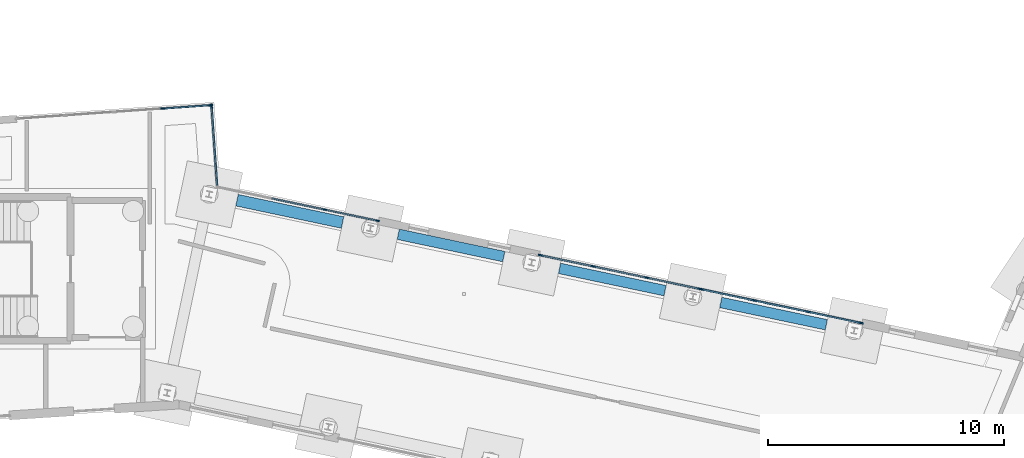
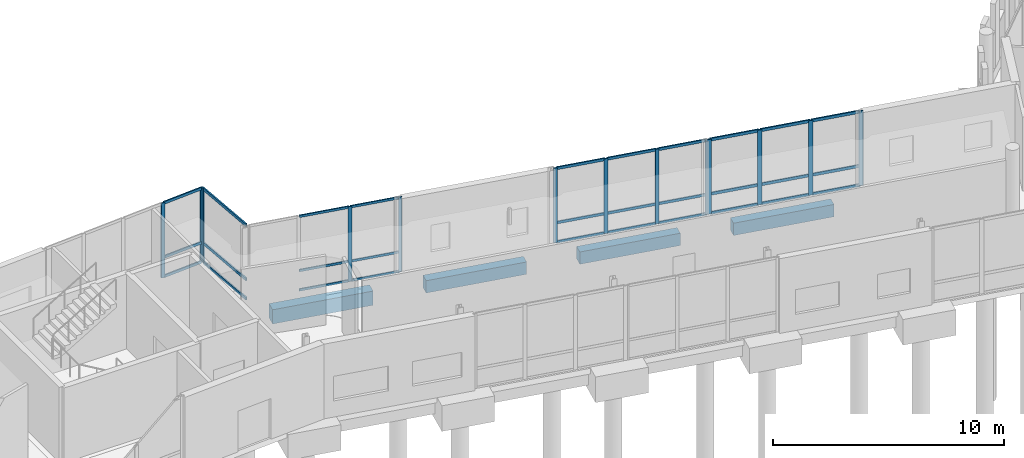
# One storey, part 38 of 113: 43 members, 4 beams, 5 elements without a shape of their own.
"""IFC4 building model written with IfcOpenShell, lengths in metres."""

from ifc_helpers import new_model, si_unit, direction, frame, origin, origin_2d, place, context, subcontext, project, spatial, rectangle, extrude, material, material_profile, profile_set, type_object, element, aggregate, save


model = new_model("IFC4")

# Units and contexts
model_context = context("Model", 3, precision=1e-05, world=origin(), true_north=direction((0.0, 1.0)))
body_context = subcontext(model_context, "Body", "Model", "MODEL_VIEW")
ifc_project = project(units=[si_unit("LENGTHUNIT", "METRE"), si_unit("AREAUNIT", "SQUARE_METRE"), si_unit("VOLUMEUNIT", "CUBIC_METRE"), si_unit("PLANEANGLEUNIT", "RADIAN"), si_unit("MASSUNIT", "GRAM", prefix="KILO")], contexts=[model_context])

# Site, building, storey
site_placement = place(None, origin())
site = spatial("IfcSite", under=ifc_project, at=site_placement, CompositionType="ELEMENT")
building_placement = place(site_placement, origin())
building = spatial("IfcBuilding", under=site, at=building_placement, Name="Wrenclough Park School", CompositionType="ELEMENT")
storey_placement = place(building_placement, origin())
storey = spatial("IfcBuildingStorey", under=building, at=storey_placement, Name="L00", CompositionType="ELEMENT", Elevation=0.0)

# Curtain wall, members
ifc_material_1 = material(Name="Thermally broken aluminium and low-e glass curtain wall", Category="aluminium")
curtain_wall_type_1 = type_object("IfcCurtainWallType", Name="ENV-CW-07", PredefinedType="USERDEFINED", material=ifc_material_1)
curtain_wall_1_placement = place(storey_placement, origin())
curtain_wall_1 = element("IfcCurtainWall", 1, at=curtain_wall_1_placement, inside=storey, type_object=curtain_wall_type_1, Name="L00 recessed curtain wall assembly 054", ObjectType="CURTAIN WALL", PredefinedType="USERDEFINED")
ifc_material_2 = material(Name="Thermally broken anodised aluminium", Category="aluminium")
ifc_material_profile_1 = material_profile(ifc_material_2, rectangle(XDim=0.06005859375, YDim=0.159912109375, at=origin_2d()), Name="AL MULLION 60x160")
ifc_profile_set_1 = profile_set([ifc_material_profile_1], Name="Thermally broken anodised aluminium")
member_type_1 = type_object("IfcMemberType", Name="ENV-CWM-1", PredefinedType="MULLION", material=ifc_profile_set_1)
member_1_placement = place(storey_placement, frame((106.615478515625, 41.61669921875, 0.0), z_axis=(0.0, 0.0, 1.0), x_axis=(0.206819986347, 0.978379013086, 0.0)))
member_1 = element("IfcMember", 2, at=member_1_placement, type_object=member_type_1, Name="CW-07 mullion 3", PredefinedType="MULLION", context=body_context, shape_type="SweptSolid", body=[
    extrude(rectangle(XDim=0.06005859375, YDim=0.159912109375, at=origin_2d()), origin(), (0.0, 0.0, 1.0), 3.93994140625),
])
member_2_placement = place(storey_placement, frame((108.85986328125, 41.14208984375, 0.0), z_axis=(0.0, 0.0, 1.0), x_axis=(0.206819986347, 0.978379013086, 0.0)))
member_2 = element("IfcMember", 3, at=member_2_placement, type_object=member_type_1, Name="CW-07 mullion 4", PredefinedType="MULLION", context=body_context, shape_type="SweptSolid", body=[
    extrude(rectangle(XDim=0.06005859375, YDim=0.159912109375, at=origin_2d()), origin(), (0.0, 0.0, 1.0), 3.93994140625),
])

curtain_wall_type_2 = type_object("IfcCurtainWallType", Name="ENV-CW-05", PredefinedType="USERDEFINED", material=ifc_material_1)
curtain_wall_2_placement = place(storey_placement, origin())
curtain_wall_2 = element("IfcCurtainWall", 4, at=curtain_wall_2_placement, inside=storey, type_object=curtain_wall_type_2, Name="L00 recessed curtain wall assembly 052", ObjectType="CURTAIN WALL", PredefinedType="USERDEFINED")
ifc_material_profile_2 = material_profile(ifc_material_2, rectangle(XDim=0.06494140625, YDim=0.179931640625, at=origin_2d()), Name="AL MULLION 65x180")
ifc_profile_set_2 = profile_set([ifc_material_profile_2], Name="Thermally broken anodised aluminium")
member_type_2 = type_object("IfcMemberType", Name="ENV-CWM-2", PredefinedType="MULLION", material=ifc_profile_set_2)
member_3_placement = place(storey_placement, frame((99.7548828125, 45.897705078125, 0.0), z_axis=(0.0, 0.0, 1.0), x_axis=(-0.069752977869, 0.997564294709, 0.0)))
member_3 = element("IfcMember", 5, at=member_3_placement, type_object=member_type_2, Name="CW-05 mullion 4", PredefinedType="MULLION", context=body_context, shape_type="SweptSolid", body=[
    extrude(rectangle(XDim=0.06494140625, YDim=0.179931640625, at=origin_2d()), origin(), (0.0, 0.0, 1.0), 3.93994140625),
])
member_4_placement = place(storey_placement, frame((101.785400390625, 46.039794921875, 0.0), z_axis=(0.0, 0.0, 1.0), x_axis=(-0.069752977869, 0.997564294709, 0.0)))
member_4 = element("IfcMember", 6, at=member_4_placement, type_object=member_type_2, Name="CW-05 mullion 5", PredefinedType="MULLION", context=body_context, shape_type="SweptSolid", body=[
    extrude(rectangle(XDim=0.06494140625, YDim=0.179931640625, at=origin_2d()), origin(), (0.0, 0.0, 1.0), 3.93994140625),
])

curtain_wall_type_3 = type_object("IfcCurtainWallType", Name="ENV-CW-08", PredefinedType="USERDEFINED", material=ifc_material_1)
curtain_wall_3_placement = place(storey_placement, origin())
curtain_wall_3 = element("IfcCurtainWall", 7, at=curtain_wall_3_placement, inside=storey, type_object=curtain_wall_type_3, Name="L00 recessed curtain wall assembly 055", ObjectType="CURTAIN WALL", PredefinedType="USERDEFINED")
member_5_placement = place(storey_placement, frame((115.75830078125, 39.68408203125, 0.0), z_axis=(0.0, 0.0, 1.0), x_axis=(0.206806257207, 0.978381915195, 0.0)))
member_5 = element("IfcMember", 8, at=member_5_placement, type_object=member_type_2, Name="CW-08 mullion 1", PredefinedType="MULLION", context=body_context, shape_type="SweptSolid", body=[
    extrude(rectangle(XDim=0.06494140625, YDim=0.179931640625, at=origin_2d()), origin(), (0.0, 0.0, 1.0), 3.93994140625),
])
member_6_placement = place(storey_placement, frame((118.000244140625, 39.210205078125, 0.0), z_axis=(0.0, 0.0, 1.0), x_axis=(0.206806257207, 0.978381915195, 0.0)))
member_6 = element("IfcMember", 9, at=member_6_placement, type_object=member_type_2, Name="CW-08 mullion 2", PredefinedType="MULLION", context=body_context, shape_type="SweptSolid", body=[
    extrude(rectangle(XDim=0.06494140625, YDim=0.179931640625, at=origin_2d()), origin(), (0.0, 0.0, 1.0), 3.93994140625),
])
member_7_placement = place(storey_placement, frame((120.274169921875, 38.7294921875, 0.0), z_axis=(0.0, 0.0, 1.0), x_axis=(0.206806257207, 0.978381915195, 0.0)))
member_7 = element("IfcMember", 10, at=member_7_placement, type_object=member_type_2, Name="CW-08 mullion 3", PredefinedType="MULLION", context=body_context, shape_type="SweptSolid", body=[
    extrude(rectangle(XDim=0.06494140625, YDim=0.179931640625, at=origin_2d()), origin(), (0.0, 0.0, 1.0), 3.93994140625),
])
member_8_placement = place(storey_placement, frame((122.51611328125, 38.255615234375, 0.0), z_axis=(0.0, 0.0, 1.0), x_axis=(0.206806257207, 0.978381915195, 0.0)))
member_8 = element("IfcMember", 11, at=member_8_placement, type_object=member_type_2, Name="CW-08 mullion 4", PredefinedType="MULLION", context=body_context, shape_type="SweptSolid", body=[
    extrude(rectangle(XDim=0.06494140625, YDim=0.179931640625, at=origin_2d()), origin(), (0.0, 0.0, 1.0), 3.93994140625),
])

# Curtain wall, member
curtain_wall_type_4 = type_object("IfcCurtainWallType", Name="ENV-CW-06", PredefinedType="USERDEFINED", material=ifc_material_1)
curtain_wall_4_placement = place(storey_placement, origin())
curtain_wall_4 = element("IfcCurtainWall", 12, at=curtain_wall_4_placement, inside=storey, type_object=curtain_wall_type_4, Name="L00 recessed curtain wall assembly 053", ObjectType="CURTAIN WALL", PredefinedType="USERDEFINED")
ifc_material_profile_3 = material_profile(ifc_material_2, rectangle(XDim=0.070068359375, YDim=0.199951171875, at=origin_2d()), Name="AL MULLION 70x200")
ifc_profile_set_3 = profile_set([ifc_material_profile_3], Name="Thermally broken anodised aluminium")
member_type_3 = type_object("IfcMemberType", Name="ENV-CWM-3", PredefinedType="MULLION", material=ifc_profile_set_3)
member_9_placement = place(storey_placement, frame((101.824462890625, 46.00341796875, 0.0), z_axis=(0.0, 0.0, 1.0), x_axis=(0.997566703256, 0.069718523753, 0.0)))
member_9 = element("IfcMember", 13, at=member_9_placement, type_object=member_type_3, Name="CW-06 mullion 1", PredefinedType="MULLION", context=body_context, shape_type="SweptSolid", body=[
    extrude(rectangle(XDim=0.070068359375, YDim=0.199951171875, at=origin_2d()), origin(), (0.0, 0.0, 1.0), 3.93994140625),
])

# Curtain wall, members
curtain_wall_type_5 = type_object("IfcCurtainWallType", Name="ENV-CW-09", PredefinedType="USERDEFINED", material=ifc_material_1)
curtain_wall_5_placement = place(storey_placement, origin())
curtain_wall_5 = element("IfcCurtainWall", 14, at=curtain_wall_5_placement, inside=storey, type_object=curtain_wall_type_5, Name="L00 recessed curtain wall assembly 056", ObjectType="CURTAIN WALL", PredefinedType="USERDEFINED")
member_10_placement = place(storey_placement, frame((122.58984375, 38.239990234375, 0.0), z_axis=(0.0, 0.0, 1.0), x_axis=(0.206819986347, 0.978379013086, 0.0)))
member_10 = element("IfcMember", 15, at=member_10_placement, type_object=member_type_3, Name="CW-09 mullion 1", PredefinedType="MULLION", context=body_context, shape_type="SweptSolid", body=[
    extrude(rectangle(XDim=0.070068359375, YDim=0.199951171875, at=origin_2d()), origin(), (0.0, 0.0, 1.0), 3.93994140625),
])
member_11_placement = place(storey_placement, frame((124.82958984375, 37.7666015625, 0.0), z_axis=(0.0, 0.0, 1.0), x_axis=(0.206819986347, 0.978379013086, 0.0)))
member_11 = element("IfcMember", 16, at=member_11_placement, type_object=member_type_3, Name="CW-09 mullion 2", PredefinedType="MULLION", context=body_context, shape_type="SweptSolid", body=[
    extrude(rectangle(XDim=0.070068359375, YDim=0.199951171875, at=origin_2d()), origin(), (0.0, 0.0, 1.0), 3.93994140625),
])
member_12_placement = place(storey_placement, frame((127.103271484375, 37.285888671875, 0.0), z_axis=(0.0, 0.0, 1.0), x_axis=(0.206819986347, 0.978379013086, 0.0)))
member_12 = element("IfcMember", 17, at=member_12_placement, type_object=member_type_3, Name="CW-09 mullion 3", PredefinedType="MULLION", context=body_context, shape_type="SweptSolid", body=[
    extrude(rectangle(XDim=0.070068359375, YDim=0.199951171875, at=origin_2d()), origin(), (0.0, 0.0, 1.0), 3.93994140625),
])
member_13_placement = place(storey_placement, frame((129.343017578125, 36.8125, 0.0), z_axis=(0.0, 0.0, 1.0), x_axis=(0.206819986347, 0.978379013086, 0.0)))
member_13 = element("IfcMember", 18, at=member_13_placement, type_object=member_type_3, Name="CW-09 mullion 4", PredefinedType="MULLION", context=body_context, shape_type="SweptSolid", body=[
    extrude(rectangle(XDim=0.070068359375, YDim=0.199951171875, at=origin_2d()), origin(), (0.0, 0.0, 1.0), 3.93994140625),
])

# Member
ifc_material_profile_4 = material_profile(ifc_material_2, rectangle(XDim=0.06005859375, YDim=0.1201171875, at=origin_2d()), Name="AL TRANSOM 60x120")
ifc_profile_set_4 = profile_set([ifc_material_profile_4], Name="Thermally broken anodised aluminium")
member_type_4 = type_object("IfcMemberType", Name="ENV-CWT-1", PredefinedType="USERDEFINED", material=ifc_profile_set_4)
member_14_placement = place(storey_placement, frame((104.37109375, 42.091064453125, 0.030029296875), z_axis=(0.978377826347, -0.206825600235, 0.0), x_axis=(0.206825600235, 0.978377826347, 0.0)))
member_14 = element("IfcMember", 19, at=member_14_placement, type_object=member_type_4, Name="CW-07 transom 2.1", ObjectType="TRANSOM", PredefinedType="USERDEFINED", context=body_context, shape_type="SweptSolid", body=[
    extrude(rectangle(XDim=0.06005859375, YDim=0.1201171875, at=origin_2d()), origin(), (0.0, 0.0, 1.0), 2.26416015625),
])

member_15_placement = place(storey_placement, frame((104.37109375, 42.091064453125, 1.050048828125), z_axis=(0.978377826347, -0.206825600235, 0.0), x_axis=(0.206825600235, 0.978377826347, 0.0)))
member_15 = element("IfcMember", 20, at=member_15_placement, type_object=member_type_4, Name="CW-07 transom 2.2", ObjectType="TRANSOM", PredefinedType="USERDEFINED", context=body_context, shape_type="SweptSolid", body=[
    extrude(rectangle(XDim=0.06005859375, YDim=0.1201171875, at=origin_2d()), origin(), (0.0, 0.0, 1.0), 2.26416015625),
])

member_16_placement = place(storey_placement, frame((104.37109375, 42.091064453125, 3.909912109375), z_axis=(0.978377826347, -0.206825600235, 0.0), x_axis=(0.206825600235, 0.978377826347, 0.0)))
member_16 = element("IfcMember", 21, at=member_16_placement, type_object=member_type_4, Name="CW-07 transom 2.3", ObjectType="TRANSOM", PredefinedType="USERDEFINED", context=body_context, shape_type="SweptSolid", body=[
    extrude(rectangle(XDim=0.06005859375, YDim=0.1201171875, at=origin_2d()), origin(), (0.0, 0.0, 1.0), 2.26416015625),
])

member_17_placement = place(storey_placement, frame((106.644775390625, 41.6103515625, 0.030029296875), z_axis=(0.978391809184, -0.206759444094, 0.0), x_axis=(0.206759444094, 0.978391809184, 0.0)))
member_17 = element("IfcMember", 22, at=member_17_placement, type_object=member_type_4, Name="CW-07 transom 3.1", ObjectType="TRANSOM", PredefinedType="USERDEFINED", context=body_context, shape_type="SweptSolid", body=[
    extrude(rectangle(XDim=0.06005859375, YDim=0.1201171875, at=origin_2d()), origin(), (0.0, 0.0, 1.0), 2.234130859375),
])

member_18_placement = place(storey_placement, frame((106.644775390625, 41.6103515625, 1.050048828125), z_axis=(0.978391809184, -0.206759444094, 0.0), x_axis=(0.206759444094, 0.978391809184, 0.0)))
member_18 = element("IfcMember", 23, at=member_18_placement, type_object=member_type_4, Name="CW-07 transom 3.2", ObjectType="TRANSOM", PredefinedType="USERDEFINED", context=body_context, shape_type="SweptSolid", body=[
    extrude(rectangle(XDim=0.06005859375, YDim=0.1201171875, at=origin_2d()), origin(), (0.0, 0.0, 1.0), 2.234130859375),
])

member_19_placement = place(storey_placement, frame((106.644775390625, 41.6103515625, 3.909912109375), z_axis=(0.978391809184, -0.206759444094, 0.0), x_axis=(0.206759444094, 0.978391809184, 0.0)))
member_19 = element("IfcMember", 24, at=member_19_placement, type_object=member_type_4, Name="CW-07 transom 3.3", ObjectType="TRANSOM", PredefinedType="USERDEFINED", context=body_context, shape_type="SweptSolid", body=[
    extrude(rectangle(XDim=0.06005859375, YDim=0.1201171875, at=origin_2d()), origin(), (0.0, 0.0, 1.0), 2.234130859375),
])

aggregate(curtain_wall_1, [member_1, member_2, member_14, member_15, member_16, member_17, member_18, member_19])

ifc_material_profile_5 = material_profile(ifc_material_2, rectangle(XDim=0.06494140625, YDim=0.139892578125, at=origin_2d()), Name="AL TRANSOM 65x140")
ifc_profile_set_5 = profile_set([ifc_material_profile_5], Name="Thermally broken anodised aluminium")
member_type_5 = type_object("IfcMemberType", Name="ENV-CWT-2", PredefinedType="USERDEFINED", material=ifc_profile_set_5)
member_20_placement = place(storey_placement, frame((99.787353515625, 45.89990234375, 0.032470703125), z_axis=(0.997563884392, 0.069758845723, 0.0), x_axis=(-0.069758845723, 0.997563884392, 0.0)))
member_20 = element("IfcMember", 25, at=member_20_placement, type_object=member_type_5, Name="CW-05 transom 4.1", ObjectType="TRANSOM", PredefinedType="USERDEFINED", context=body_context, shape_type="SweptSolid", body=[
    extrude(rectangle(XDim=0.06494140625, YDim=0.139892578125, at=origin_2d()), origin(), (0.0, 0.0, 1.0), 1.970458984375),
])

member_21_placement = place(storey_placement, frame((99.787353515625, 45.89990234375, 1.050048828125), z_axis=(0.997563884392, 0.069758845723, 0.0), x_axis=(-0.069758845723, 0.997563884392, 0.0)))
member_21 = element("IfcMember", 26, at=member_21_placement, type_object=member_type_5, Name="CW-05 transom 4.2", ObjectType="TRANSOM", PredefinedType="USERDEFINED", context=body_context, shape_type="SweptSolid", body=[
    extrude(rectangle(XDim=0.06494140625, YDim=0.139892578125, at=origin_2d()), origin(), (0.0, 0.0, 1.0), 1.970458984375),
])

member_22_placement = place(storey_placement, frame((99.787353515625, 45.89990234375, 3.907470703125), z_axis=(0.997563884392, 0.069758845723, 0.0), x_axis=(-0.069758845723, 0.997563884392, 0.0)))
member_22 = element("IfcMember", 27, at=member_22_placement, type_object=member_type_5, Name="CW-05 transom 4.3", ObjectType="TRANSOM", PredefinedType="USERDEFINED", context=body_context, shape_type="SweptSolid", body=[
    extrude(rectangle(XDim=0.06494140625, YDim=0.139892578125, at=origin_2d()), origin(), (0.0, 0.0, 1.0), 1.970458984375),
])

aggregate(curtain_wall_2, [member_3, member_4, member_20, member_21, member_22])

member_23_placement = place(storey_placement, frame((115.7900390625, 39.67724609375, 0.032470703125), z_axis=(0.978384272074, -0.206795106705, 0.0), x_axis=(0.206795106705, 0.978384272074, 0.0)))
member_23 = element("IfcMember", 28, at=member_23_placement, type_object=member_type_5, Name="CW-08 transom 1.1", ObjectType="TRANSOM", PredefinedType="USERDEFINED", context=body_context, shape_type="SweptSolid", body=[
    extrude(rectangle(XDim=0.06494140625, YDim=0.139892578125, at=origin_2d()), origin(), (0.0, 0.0, 1.0), 2.2265625),
])

member_24_placement = place(storey_placement, frame((115.7900390625, 39.67724609375, 1.050048828125), z_axis=(0.978384272074, -0.206795106705, 0.0), x_axis=(0.206795106705, 0.978384272074, 0.0)))
member_24 = element("IfcMember", 29, at=member_24_placement, type_object=member_type_5, Name="CW-08 transom 1.2", ObjectType="TRANSOM", PredefinedType="USERDEFINED", context=body_context, shape_type="SweptSolid", body=[
    extrude(rectangle(XDim=0.06494140625, YDim=0.139892578125, at=origin_2d()), origin(), (0.0, 0.0, 1.0), 2.2265625),
])

member_25_placement = place(storey_placement, frame((115.7900390625, 39.67724609375, 3.907470703125), z_axis=(0.978384272074, -0.206795106705, 0.0), x_axis=(0.206795106705, 0.978384272074, 0.0)))
member_25 = element("IfcMember", 30, at=member_25_placement, type_object=member_type_5, Name="CW-08 transom 1.3", ObjectType="TRANSOM", PredefinedType="USERDEFINED", context=body_context, shape_type="SweptSolid", body=[
    extrude(rectangle(XDim=0.06494140625, YDim=0.139892578125, at=origin_2d()), origin(), (0.0, 0.0, 1.0), 2.2265625),
])

member_26_placement = place(storey_placement, frame((118.031982421875, 39.203369140625, 0.032470703125), z_axis=(0.978394707645, -0.206745728016, 0.0), x_axis=(0.206745728016, 0.978394707645, 0.0)))
member_26 = element("IfcMember", 31, at=member_26_placement, type_object=member_type_5, Name="CW-08 transom 2.1", ObjectType="TRANSOM", PredefinedType="USERDEFINED", context=body_context, shape_type="SweptSolid", body=[
    extrude(rectangle(XDim=0.06494140625, YDim=0.139892578125, at=origin_2d()), origin(), (0.0, 0.0, 1.0), 2.259033203125),
])

member_27_placement = place(storey_placement, frame((118.031982421875, 39.203369140625, 1.050048828125), z_axis=(0.978394707645, -0.206745728016, 0.0), x_axis=(0.206745728016, 0.978394707645, 0.0)))
member_27 = element("IfcMember", 32, at=member_27_placement, type_object=member_type_5, Name="CW-08 transom 2.2", ObjectType="TRANSOM", PredefinedType="USERDEFINED", context=body_context, shape_type="SweptSolid", body=[
    extrude(rectangle(XDim=0.06494140625, YDim=0.139892578125, at=origin_2d()), origin(), (0.0, 0.0, 1.0), 2.259033203125),
])

member_28_placement = place(storey_placement, frame((118.031982421875, 39.203369140625, 3.907470703125), z_axis=(0.978394707645, -0.206745728016, 0.0), x_axis=(0.206745728016, 0.978394707645, 0.0)))
member_28 = element("IfcMember", 33, at=member_28_placement, type_object=member_type_5, Name="CW-08 transom 2.3", ObjectType="TRANSOM", PredefinedType="USERDEFINED", context=body_context, shape_type="SweptSolid", body=[
    extrude(rectangle(XDim=0.06494140625, YDim=0.139892578125, at=origin_2d()), origin(), (0.0, 0.0, 1.0), 2.259033203125),
])

member_29_placement = place(storey_placement, frame((120.305908203125, 38.722900390625, 0.032470703125), z_axis=(0.978384272074, -0.206795106705, 0.0), x_axis=(0.206795106705, 0.978384272074, 0.0)))
member_29 = element("IfcMember", 34, at=member_29_placement, type_object=member_type_5, Name="CW-08 transom 3.1", ObjectType="TRANSOM", PredefinedType="USERDEFINED", context=body_context, shape_type="SweptSolid", body=[
    extrude(rectangle(XDim=0.06494140625, YDim=0.139892578125, at=origin_2d()), origin(), (0.0, 0.0, 1.0), 2.2265625),
])

member_30_placement = place(storey_placement, frame((120.305908203125, 38.722900390625, 1.050048828125), z_axis=(0.978384272074, -0.206795106705, 0.0), x_axis=(0.206795106705, 0.978384272074, 0.0)))
member_30 = element("IfcMember", 35, at=member_30_placement, type_object=member_type_5, Name="CW-08 transom 3.2", ObjectType="TRANSOM", PredefinedType="USERDEFINED", context=body_context, shape_type="SweptSolid", body=[
    extrude(rectangle(XDim=0.06494140625, YDim=0.139892578125, at=origin_2d()), origin(), (0.0, 0.0, 1.0), 2.2265625),
])

member_31_placement = place(storey_placement, frame((120.305908203125, 38.722900390625, 3.907470703125), z_axis=(0.978384272074, -0.206795106705, 0.0), x_axis=(0.206795106705, 0.978384272074, 0.0)))
member_31 = element("IfcMember", 36, at=member_31_placement, type_object=member_type_5, Name="CW-08 transom 3.3", ObjectType="TRANSOM", PredefinedType="USERDEFINED", context=body_context, shape_type="SweptSolid", body=[
    extrude(rectangle(XDim=0.06494140625, YDim=0.139892578125, at=origin_2d()), origin(), (0.0, 0.0, 1.0), 2.2265625),
])

aggregate(curtain_wall_3, [member_5, member_6, member_7, member_8, member_23, member_24, member_25, member_26, member_27, member_28, member_29, member_30, member_31])

ifc_material_profile_6 = material_profile(ifc_material_2, rectangle(XDim=0.070068359375, YDim=0.14990234375, at=origin_2d()), Name="AL TRANSOM 70x150")
ifc_profile_set_6 = profile_set([ifc_material_profile_6], Name="Thermally broken anodised aluminium")
member_type_6 = type_object("IfcMemberType", Name="ENV-CWT-3", PredefinedType="USERDEFINED", material=ifc_profile_set_6)
member_32_placement = place(storey_placement, frame((101.826904296875, 45.968505859375, 0.034912109375), z_axis=(0.069775041534, -0.9975627517, 0.0), x_axis=(0.9975627517, 0.069775041534, 0.0)))
member_32 = element("IfcMember", 37, at=member_32_placement, type_object=member_type_6, Name="CW-06 transom 1.1", ObjectType="TRANSOM", PredefinedType="USERDEFINED", context=body_context, shape_type="SweptSolid", body=[
    extrude(rectangle(XDim=0.070068359375, YDim=0.14990234375, at=origin_2d()), origin(), (0.0, 0.0, 1.0), 3.323974609375),
])

member_33_placement = place(storey_placement, frame((101.826904296875, 45.968505859375, 1.050048828125), z_axis=(0.069775041534, -0.9975627517, 0.0), x_axis=(0.9975627517, 0.069775041534, 0.0)))
member_33 = element("IfcMember", 38, at=member_33_placement, type_object=member_type_6, Name="CW-06 transom 1.2", ObjectType="TRANSOM", PredefinedType="USERDEFINED", context=body_context, shape_type="SweptSolid", body=[
    extrude(rectangle(XDim=0.070068359375, YDim=0.14990234375, at=origin_2d()), origin(), (0.0, 0.0, 1.0), 3.323974609375),
])

member_34_placement = place(storey_placement, frame((101.826904296875, 45.968505859375, 3.905029296875), z_axis=(0.069775041534, -0.9975627517, 0.0), x_axis=(0.9975627517, 0.069775041534, 0.0)))
member_34 = element("IfcMember", 39, at=member_34_placement, type_object=member_type_6, Name="CW-06 transom 1.3", ObjectType="TRANSOM", PredefinedType="USERDEFINED", context=body_context, shape_type="SweptSolid", body=[
    extrude(rectangle(XDim=0.070068359375, YDim=0.14990234375, at=origin_2d()), origin(), (0.0, 0.0, 1.0), 3.323974609375),
])

aggregate(curtain_wall_4, [member_9, member_32, member_33, member_34])

member_35_placement = place(storey_placement, frame((122.624267578125, 38.23291015625, 0.034912109375), z_axis=(0.978376682917, -0.206831009095, 0.0), x_axis=(0.206831009095, 0.978376682917, 0.0)))
member_35 = element("IfcMember", 40, at=member_35_placement, type_object=member_type_6, Name="CW-09 transom 1.1", ObjectType="TRANSOM", PredefinedType="USERDEFINED", context=body_context, shape_type="SweptSolid", body=[
    extrude(rectangle(XDim=0.070068359375, YDim=0.14990234375, at=origin_2d()), origin(), (0.0, 0.0, 1.0), 2.21923828125),
])

member_36_placement = place(storey_placement, frame((122.624267578125, 38.23291015625, 1.050048828125), z_axis=(0.978376682917, -0.206831009095, 0.0), x_axis=(0.206831009095, 0.978376682917, 0.0)))
member_36 = element("IfcMember", 41, at=member_36_placement, type_object=member_type_6, Name="CW-09 transom 1.2", ObjectType="TRANSOM", PredefinedType="USERDEFINED", context=body_context, shape_type="SweptSolid", body=[
    extrude(rectangle(XDim=0.070068359375, YDim=0.14990234375, at=origin_2d()), origin(), (0.0, 0.0, 1.0), 2.21923828125),
])

member_37_placement = place(storey_placement, frame((122.624267578125, 38.23291015625, 3.905029296875), z_axis=(0.978376682917, -0.206831009095, 0.0), x_axis=(0.206831009095, 0.978376682917, 0.0)))
member_37 = element("IfcMember", 42, at=member_37_placement, type_object=member_type_6, Name="CW-09 transom 1.3", ObjectType="TRANSOM", PredefinedType="USERDEFINED", context=body_context, shape_type="SweptSolid", body=[
    extrude(rectangle(XDim=0.070068359375, YDim=0.14990234375, at=origin_2d()), origin(), (0.0, 0.0, 1.0), 2.21923828125),
])

member_38_placement = place(storey_placement, frame((124.86376953125, 37.75927734375, 0.034912109375), z_axis=(0.978389750945, -0.2067691835, 0.0), x_axis=(0.2067691835, 0.978389750945, 0.0)))
member_38 = element("IfcMember", 43, at=member_38_placement, type_object=member_type_6, Name="CW-09 transom 2.1", ObjectType="TRANSOM", PredefinedType="USERDEFINED", context=body_context, shape_type="SweptSolid", body=[
    extrude(rectangle(XDim=0.070068359375, YDim=0.14990234375, at=origin_2d()), origin(), (0.0, 0.0, 1.0), 2.254150390625),
])

member_39_placement = place(storey_placement, frame((124.86376953125, 37.75927734375, 1.050048828125), z_axis=(0.978389750945, -0.2067691835, 0.0), x_axis=(0.2067691835, 0.978389750945, 0.0)))
member_39 = element("IfcMember", 44, at=member_39_placement, type_object=member_type_6, Name="CW-09 transom 2.2", ObjectType="TRANSOM", PredefinedType="USERDEFINED", context=body_context, shape_type="SweptSolid", body=[
    extrude(rectangle(XDim=0.070068359375, YDim=0.14990234375, at=origin_2d()), origin(), (0.0, 0.0, 1.0), 2.254150390625),
])

member_40_placement = place(storey_placement, frame((124.86376953125, 37.75927734375, 3.905029296875), z_axis=(0.978389750945, -0.2067691835, 0.0), x_axis=(0.2067691835, 0.978389750945, 0.0)))
member_40 = element("IfcMember", 45, at=member_40_placement, type_object=member_type_6, Name="CW-09 transom 2.3", ObjectType="TRANSOM", PredefinedType="USERDEFINED", context=body_context, shape_type="SweptSolid", body=[
    extrude(rectangle(XDim=0.070068359375, YDim=0.14990234375, at=origin_2d()), origin(), (0.0, 0.0, 1.0), 2.254150390625),
])

member_41_placement = place(storey_placement, frame((127.1376953125, 37.27880859375, 0.034912109375), z_axis=(0.978371975755, -0.206853274226, 0.0), x_axis=(0.206853274226, 0.978371975755, 0.0)))
member_41 = element("IfcMember", 46, at=member_41_placement, type_object=member_type_6, Name="CW-09 transom 3.1", ObjectType="TRANSOM", PredefinedType="USERDEFINED", context=body_context, shape_type="SweptSolid", body=[
    extrude(rectangle(XDim=0.070068359375, YDim=0.14990234375, at=origin_2d()), origin(), (0.0, 0.0, 1.0), 2.218994140625),
])

member_42_placement = place(storey_placement, frame((127.1376953125, 37.27880859375, 1.050048828125), z_axis=(0.978371975755, -0.206853274226, 0.0), x_axis=(0.206853274226, 0.978371975755, 0.0)))
member_42 = element("IfcMember", 47, at=member_42_placement, type_object=member_type_6, Name="CW-09 transom 3.2", ObjectType="TRANSOM", PredefinedType="USERDEFINED", context=body_context, shape_type="SweptSolid", body=[
    extrude(rectangle(XDim=0.070068359375, YDim=0.14990234375, at=origin_2d()), origin(), (0.0, 0.0, 1.0), 2.218994140625),
])

member_43_placement = place(storey_placement, frame((127.1376953125, 37.27880859375, 3.905029296875), z_axis=(0.978371975755, -0.206853274226, 0.0), x_axis=(0.206853274226, 0.978371975755, 0.0)))
member_43 = element("IfcMember", 48, at=member_43_placement, type_object=member_type_6, Name="CW-09 transom 3.3", ObjectType="TRANSOM", PredefinedType="USERDEFINED", context=body_context, shape_type="SweptSolid", body=[
    extrude(rectangle(XDim=0.070068359375, YDim=0.14990234375, at=origin_2d()), origin(), (0.0, 0.0, 1.0), 2.218994140625),
])

aggregate(curtain_wall_5, [member_10, member_11, member_12, member_13, member_35, member_36, member_37, member_38, member_39, member_40, member_41, member_42, member_43])

# Beams
ifc_material_3 = material(Name="Concrete C35/45", Category="concrete")
ifc_material_profile_7 = material_profile(ifc_material_3, rectangle(XDim=0.449951171875, YDim=0.64990234375, at=origin_2d()), Name="RC GROUND 450x650")
ifc_profile_set_7 = profile_set([ifc_material_profile_7], Name="Concrete C35/45")
beam_type_1 = type_object("IfcBeamType", Name="STR-BM-GTB1", PredefinedType="USERDEFINED", material=ifc_profile_set_7)
beam_1_placement = place(storey_placement, frame((109.73779296875, 40.568359375, -0.625), z_axis=(0.978380488891, -0.206813004807, 0.0), x_axis=(0.206813004807, 0.978380488891, 0.0)))
element("IfcBeam", 49, at=beam_1_placement, inside=storey, type_object=beam_type_1, Name="Reinforced concrete ground tie beam 123", ObjectType="GROUND TIE BEAM", PredefinedType="USERDEFINED", context=body_context, shape_type="SweptSolid", body=[
    extrude(rectangle(XDim=0.449951171875, YDim=0.64990234375, at=origin_2d()), origin(), (0.0, 0.0, 1.0), 4.568603515625),
])
beam_2_placement = place(storey_placement, frame((116.5712890625, 39.123779296875, -0.625), z_axis=(0.978389016039, -0.206772660898, 0.0), x_axis=(0.206772660898, 0.978389016039, 0.0)))
element("IfcBeam", 50, at=beam_2_placement, inside=storey, type_object=beam_type_1, Name="Reinforced concrete ground tie beam 125", ObjectType="GROUND TIE BEAM", PredefinedType="USERDEFINED", context=body_context, shape_type="SweptSolid", body=[
    extrude(rectangle(XDim=0.449951171875, YDim=0.64990234375, at=origin_2d()), origin(), (0.0, 0.0, 1.0), 4.568115234375),
])
beam_3_placement = place(storey_placement, frame((123.404541015625, 37.679443359375, -0.625), z_axis=(0.978378202994, -0.206823818517, 0.0), x_axis=(0.206823818517, 0.978378202994, 0.0)))
element("IfcBeam", 51, at=beam_3_placement, inside=storey, type_object=beam_type_1, Name="Reinforced concrete ground tie beam 127", ObjectType="GROUND TIE BEAM", PredefinedType="USERDEFINED", context=body_context, shape_type="SweptSolid", body=[
    extrude(rectangle(XDim=0.449951171875, YDim=0.64990234375, at=origin_2d()), origin(), (0.0, 0.0, 1.0), 4.568359375),
])
ifc_material_profile_8 = material_profile(ifc_material_3, rectangle(XDim=0.5, YDim=0.75, at=origin_2d()), Name="RC GROUND 500x750")
ifc_profile_set_8 = profile_set([ifc_material_profile_8], Name="Concrete C35/45")
beam_type_2 = type_object("IfcBeamType", Name="STR-BM-GTB2", PredefinedType="USERDEFINED", material=ifc_profile_set_8)
beam_4_placement = place(storey_placement, frame((102.904541015625, 42.0126953125, -0.675048828125), z_axis=(0.978378202994, -0.206823818517, 0.0), x_axis=(0.206823818517, 0.978378202994, 0.0)))
element("IfcBeam", 52, at=beam_4_placement, inside=storey, type_object=beam_type_2, Name="Reinforced concrete ground tie beam 120", ObjectType="GROUND TIE BEAM", PredefinedType="USERDEFINED", context=body_context, shape_type="SweptSolid", body=[
    extrude(rectangle(XDim=0.5, YDim=0.75, at=origin_2d()), origin(), (0.0, 0.0, 1.0), 4.568359375),
])

save(model, "model.ifc")
